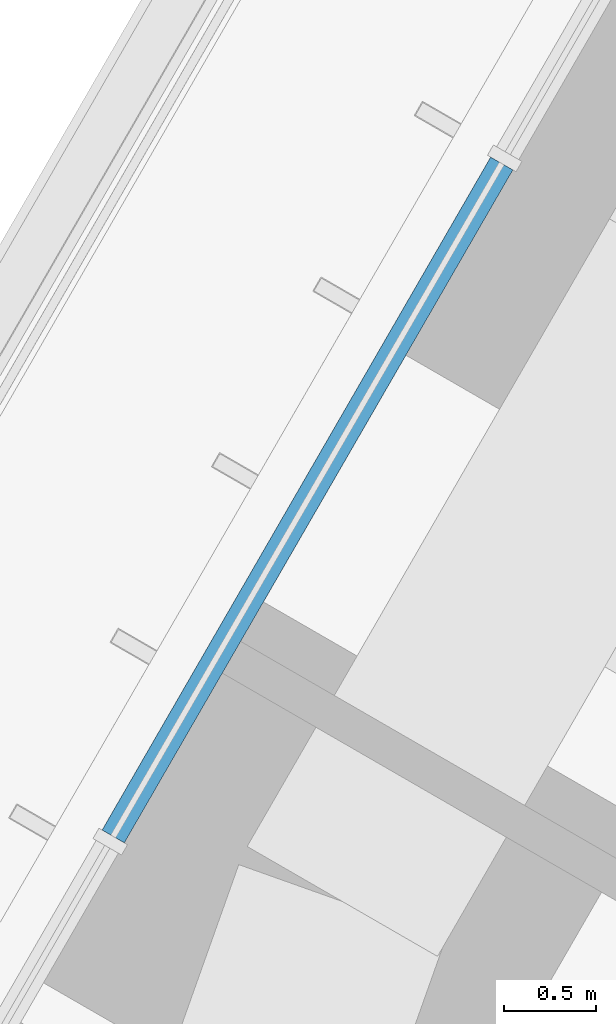
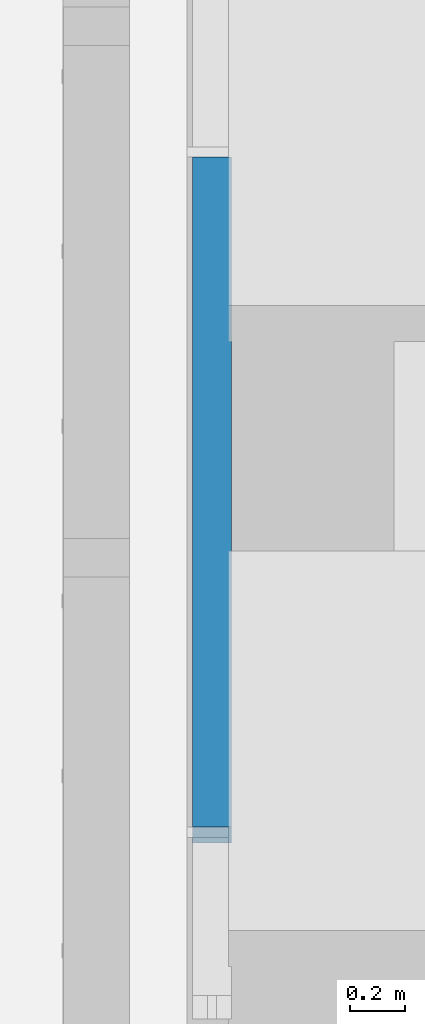
# One storey, part 132 of 238: 1 member, 1 element without a shape of its own.
"""IFC4 building model written with IfcOpenShell, lengths in metres."""

from ifc_helpers import new_model, si_unit, direction, frame, origin, origin_2d, place, context, subcontext, project, spatial, rectangle, extrude, material, material_profile, profile_set, type_object, element, aggregate, save


model = new_model("IFC4")

# Units and contexts
model_context = context("Model", 3, precision=1e-05, world=origin(), true_north=direction((0.0, 1.0)))
body_context = subcontext(model_context, "Body", "Model", "MODEL_VIEW")
ifc_project = project(units=[si_unit("LENGTHUNIT", "METRE"), si_unit("AREAUNIT", "SQUARE_METRE"), si_unit("VOLUMEUNIT", "CUBIC_METRE"), si_unit("PLANEANGLEUNIT", "RADIAN"), si_unit("MASSUNIT", "GRAM", prefix="KILO")], contexts=[model_context])

# Site, building, storey
site_placement = place(None, origin())
site = spatial("IfcSite", under=ifc_project, at=site_placement, CompositionType="ELEMENT")
building_placement = place(site_placement, origin())
building = spatial("IfcBuilding", under=site, at=building_placement, Name="Sandreach Pilgrim Tower", CompositionType="ELEMENT")
storey_placement = place(building_placement, frame((0.0, 0.0, 96.800048828125)))
storey = spatial("IfcBuildingStorey", under=building, at=storey_placement, Name="L23", CompositionType="ELEMENT", Elevation=96.800048828125)

# Curtain wall, member
ifc_material_1 = material(Name="Aluminium framed curtain wall", Category="aluminium")
curtain_wall_type = type_object("IfcCurtainWallType", Name="Hotel tower curtain wall", PredefinedType="NOTDEFINED", material=ifc_material_1)
curtain_wall_placement = place(storey_placement, origin())
curtain_wall = element("IfcCurtainWall", 1, at=curtain_wall_placement, inside=storey, type_object=curtain_wall_type, Name="CW-2 L23 NW", PredefinedType="NOTDEFINED")
ifc_material_2 = material(Name="Aluminium extrusion", Category="aluminium")
ifc_material_profile = material_profile(ifc_material_2, rectangle(XDim=0.139892578125, YDim=0.070068359375, at=origin_2d()), Name="CW-2T 140X70")
ifc_profile_set = profile_set([ifc_material_profile], Name="Aluminium extrusion")
member_type = type_object("IfcMemberType", Name="CW-2 transom", PredefinedType="USERDEFINED", material=ifc_profile_set)
member_placement = place(storey_placement, frame((-26.5517578125, 10.3955078125, 3.60498046875), z_axis=(0.500021471012, 0.866013007135, 0.0), x_axis=(-0.866013007135, 0.500021471012, 0.0)))
member = element("IfcMember", 2, at=member_placement, type_object=member_type, Name="CW-2 head transom 2", ObjectType="TRANSOM", PredefinedType="USERDEFINED", context=body_context, shape_type="SweptSolid", body=[
    extrude(rectangle(XDim=0.139892578125, YDim=0.070068359375, at=origin_2d()), origin(), (0.0, 0.0, 1.0), 4.240478515625),
])
aggregate(curtain_wall, [member])

save(model, "model.ifc")
